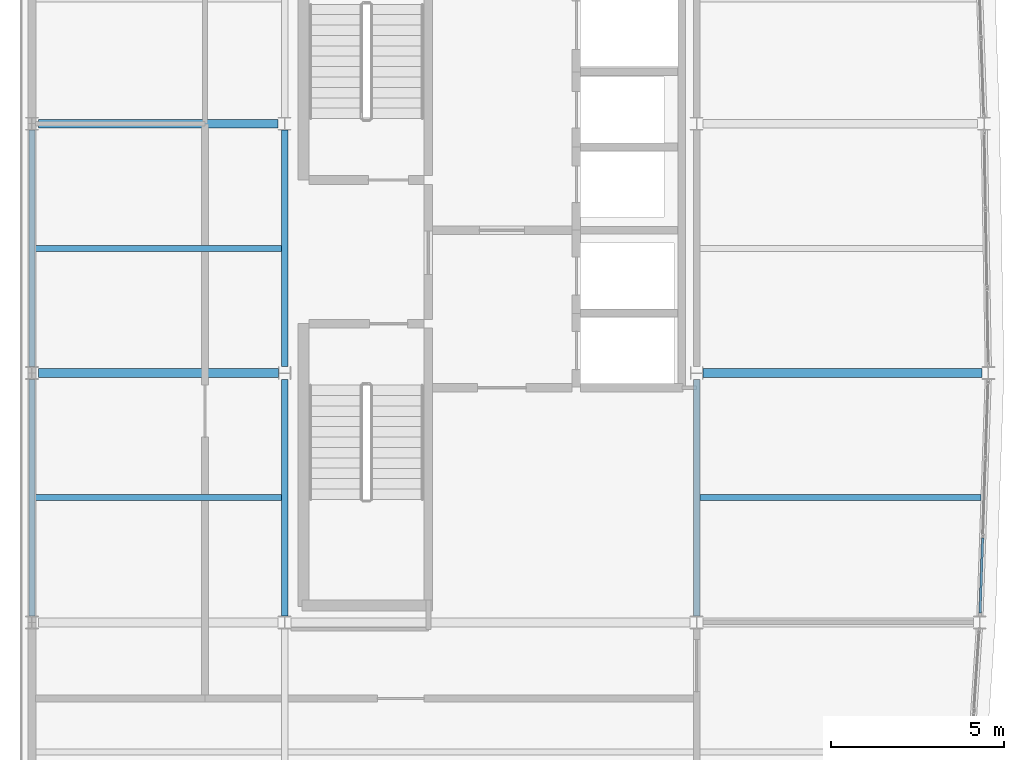
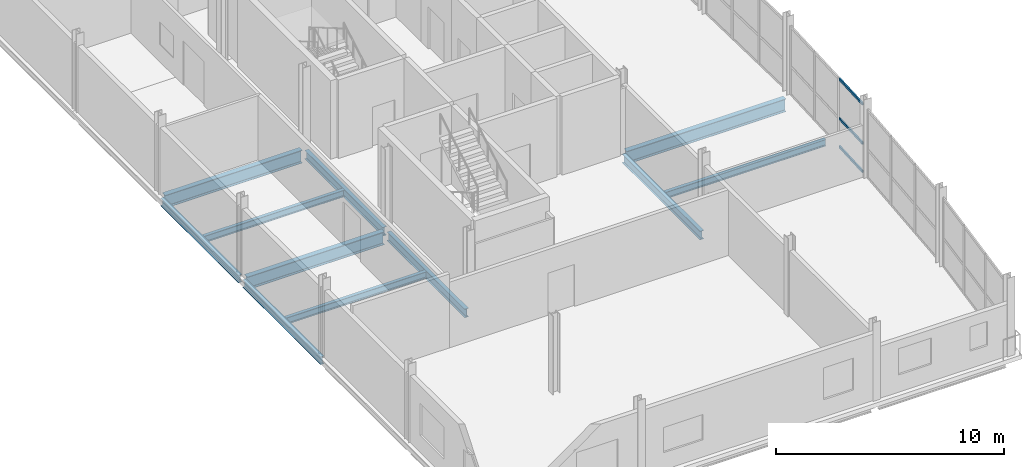
# One storey, part 4 of 20: 11 beams, 3 members, 1 element without a shape of its own.
"""IFC4 building model written with IfcOpenShell, lengths in metres."""

from ifc_helpers import new_model, si_unit, direction, frame, origin, origin_2d, place, context, subcontext, project, spatial, hollow_rectangle, i_section, extrude, material, layer, layer_set, material_profile, profile_set, type_object, element, aggregate, save


model = new_model("IFC4")

# Units and contexts
model_context = context("Model", 3, precision=1e-05, world=origin(), true_north=direction((0.0, 1.0)))
body_context = subcontext(model_context, "Body", "Model", "MODEL_VIEW")
ifc_project = project(units=[si_unit("LENGTHUNIT", "METRE"), si_unit("AREAUNIT", "SQUARE_METRE"), si_unit("VOLUMEUNIT", "CUBIC_METRE"), si_unit("PLANEANGLEUNIT", "RADIAN"), si_unit("MASSUNIT", "GRAM", prefix="KILO")], contexts=[model_context])

# Site, building, storey
site_placement = place(None, origin())
site = spatial("IfcSite", under=ifc_project, at=site_placement, CompositionType="ELEMENT")
building_placement = place(site_placement, origin())
building = spatial("IfcBuilding", under=site, at=building_placement, Name="Quillay Park Conservatory", CompositionType="ELEMENT")
storey_placement = place(building_placement, frame((0.0, 0.0, 30.89990234375)))
storey = spatial("IfcBuildingStorey", under=building, at=storey_placement, Name="L07", CompositionType="ELEMENT", Elevation=30.89990234375)

# Beams
ifc_material_1 = material(Name="Steel ASTM A992 Grade 50", Category="steel")
ifc_material_profile_1 = material_profile(ifc_material_1, i_section(OverallWidth=0.172119140625, OverallDepth=0.35791015625, WebThickness=0.0078125, FlangeThickness=0.01318359375, FilletRadius=0.010986328125, at=origin_2d()), Name="W360x57")
ifc_profile_set_1 = profile_set([ifc_material_profile_1], Name="Steel ASTM A992 Grade 50")
beam_type_1 = type_object("IfcBeamType", Name="COMPOSITE FLOOR JOIST W360 X57", PredefinedType="JOIST", material=ifc_profile_set_1)
beam_1_placement = place(storey_placement, frame((0.639892578125, 81.60009765625, -0.39892578125), z_axis=(1.0, 0.0, 0.0), x_axis=(0.0, 1.0, 0.0)))
element("IfcBeam", 1, at=beam_1_placement, inside=storey, type_object=beam_type_1, Name="L07 beam BM-J-0556", PredefinedType="JOIST", context=body_context, shape_type="SweptSolid", body=[
    extrude(i_section(OverallWidth=0.172119140625, OverallDepth=0.35791015625, WebThickness=0.0078125, FlangeThickness=0.01318359375, FilletRadius=0.010986328125, at=origin_2d()), origin(), (0.0, 0.0, 1.0), 7.114013671875),
])
beam_2_placement = place(storey_placement, frame((19.845947265625, 81.60009765625, -0.39892578125), z_axis=(1.0, 0.0, 0.0), x_axis=(0.0, 1.0, 0.0)))
element("IfcBeam", 2, at=beam_2_placement, inside=storey, type_object=beam_type_1, Name="L07 beam BM-J-0557", PredefinedType="JOIST", context=body_context, shape_type="SweptSolid", body=[
    extrude(i_section(OverallWidth=0.172119140625, OverallDepth=0.35791015625, WebThickness=0.0078125, FlangeThickness=0.01318359375, FilletRadius=0.010986328125, at=origin_2d()), origin(), (0.0, 0.0, 1.0), 8.114013671875),
])
beam_3_placement = place(storey_placement, frame((0.639892578125, 88.800048828125, -0.39892578125), z_axis=(1.0, 0.0, 0.0), x_axis=(0.0, 1.0, 0.0)))
element("IfcBeam", 3, at=beam_3_placement, inside=storey, type_object=beam_type_1, Name="L07 beam BM-J-0562", PredefinedType="JOIST", context=body_context, shape_type="SweptSolid", body=[
    extrude(i_section(OverallWidth=0.172119140625, OverallDepth=0.35791015625, WebThickness=0.0078125, FlangeThickness=0.01318359375, FilletRadius=0.010986328125, at=origin_2d()), origin(), (0.0, 0.0, 1.0), 7.114013671875),
])

# Curtain wall, members
ifc_material_2 = material(Name="Thermally Broken Anodised Aluminium 6063-T6", Category="aluminium")
ifc_layer = layer(ifc_material_2, 0.199951171875)
ifc_layer_set = layer_set([ifc_layer], Name="UNITISED CURTAIN WALL HERBARIUM (Thermally Broken Anodised Aluminium 6063-T6)")
curtain_wall_type = type_object("IfcCurtainWallType", Name="UNITISED CURTAIN WALL HERBARIUM", PredefinedType="USERDEFINED", material=ifc_layer_set)
curtain_wall_placement = place(storey_placement, origin())
curtain_wall = element("IfcCurtainWall", 4, at=curtain_wall_placement, inside=storey, type_object=curtain_wall_type, Name="L07 Unitised Curtain Wall 070", ObjectType="UNITISED CURTAIN WALL", PredefinedType="USERDEFINED")
ifc_material_3 = material(Name="Thermally Broken Anodised Aluminium 6063-T6", Category="aluminium")
ifc_material_profile_2 = material_profile(ifc_material_3, hollow_rectangle(XDim=0.070068359375, YDim=0.1298828125, WallThickness=0.003173828125, at=origin_2d()), Name="AL70x130x3.2")
ifc_profile_set_2 = profile_set([ifc_material_profile_2], Name="Thermally Broken Anodised Aluminium 6063-T6")
member_type = type_object("IfcMemberType", Name="CURTAIN WALL TRANSOM 70 X130", PredefinedType="USERDEFINED", material=ifc_profile_set_2)
member_1_placement = place(storey_placement, frame((28.009521484375, 80.431640625, 0.03515625), z_axis=(-0.034761587249, -0.999395633396, 0.0), x_axis=(0.999395633396, -0.034761587249, 0.0)))
member_1 = element("IfcMember", 5, at=member_1_placement, type_object=member_type, Name="CW-T2 transom 3.1", ObjectType="TRANSOM", PredefinedType="USERDEFINED", context=body_context, shape_type="SweptSolid", body=[
    extrude(hollow_rectangle(XDim=0.070068359375, YDim=0.1298828125, WallThickness=0.003173828125, at=origin_2d()), origin(), (0.0, 0.0, 1.0), 2.1630859375),
])
member_2_placement = place(storey_placement, frame((28.009521484375, 80.431640625, 1.548583984375), z_axis=(-0.034761587249, -0.999395633396, 0.0), x_axis=(0.999395633396, -0.034761587249, 0.0)))
member_2 = element("IfcMember", 6, at=member_2_placement, type_object=member_type, Name="CW-T2 transom 3.2", ObjectType="TRANSOM", PredefinedType="USERDEFINED", context=body_context, shape_type="SweptSolid", body=[
    extrude(hollow_rectangle(XDim=0.070068359375, YDim=0.1298828125, WallThickness=0.003173828125, at=origin_2d()), origin(), (0.0, 0.0, 1.0), 2.1630859375),
])
member_3_placement = place(storey_placement, frame((28.009521484375, 80.431640625, 3.652099609375), z_axis=(-0.034761587249, -0.999395633396, 0.0), x_axis=(0.999395633396, -0.034761587249, 0.0)))
member_3 = element("IfcMember", 7, at=member_3_placement, type_object=member_type, Name="CW-T2 transom 3.3", ObjectType="TRANSOM", PredefinedType="USERDEFINED", context=body_context, shape_type="SweptSolid", body=[
    extrude(hollow_rectangle(XDim=0.070068359375, YDim=0.1298828125, WallThickness=0.003173828125, at=origin_2d()), origin(), (0.0, 0.0, 1.0), 2.1630859375),
])
aggregate(curtain_wall, [member_1, member_2, member_3])

# Beams
ifc_material_4 = material(Name="Steel ASTM A992 Grade 50", Category="steel")
ifc_material_profile_3 = material_profile(ifc_material_4, i_section(OverallWidth=0.179931640625, OverallDepth=0.4130859375, WebThickness=0.009765625, FlangeThickness=0.01611328125, FilletRadius=0.011962890625, at=origin_2d()), Name="W410x74")
ifc_profile_set_3 = profile_set([ifc_material_profile_3], Name="Steel ASTM A992 Grade 50")
beam_type_2 = type_object("IfcBeamType", Name="PERIMETER SPANDREL BEAM W410 X74", PredefinedType="SPANDREL", material=ifc_profile_set_3)
beam_4_placement = place(storey_placement, frame((0.550048828125, 78.18603515625, -0.426513671875), z_axis=(0.0, 1.0, 0.0), x_axis=(-1.0, 0.0, 0.0)))
element("IfcBeam", 8, at=beam_4_placement, inside=storey, type_object=beam_type_2, Name="L07 beam BM-SPW-0552", PredefinedType="SPANDREL", context=body_context, shape_type="SweptSolid", body=[
    extrude(i_section(OverallWidth=0.179931640625, OverallDepth=0.4130859375, WebThickness=0.009765625, FlangeThickness=0.01611328125, FilletRadius=0.011962890625, at=origin_2d()), origin(), (0.0, 0.0, 1.0), 6.827880859375),
])
beam_5_placement = place(storey_placement, frame((0.550048828125, 85.385986328125, -0.426513671875), z_axis=(0.0, 1.0, 0.0), x_axis=(-1.0, 0.0, 0.0)))
element("IfcBeam", 9, at=beam_5_placement, inside=storey, type_object=beam_type_2, Name="L07 beam BM-SPW-0558", PredefinedType="SPANDREL", context=body_context, shape_type="SweptSolid", body=[
    extrude(i_section(OverallWidth=0.179931640625, OverallDepth=0.4130859375, WebThickness=0.009765625, FlangeThickness=0.01611328125, FilletRadius=0.011962890625, at=origin_2d()), origin(), (0.0, 0.0, 1.0), 6.828125),
])
ifc_material_5 = material(Name="Steel ASTM A992 Grade 50", Category="steel")
ifc_material_profile_4 = material_profile(ifc_material_5, i_section(OverallWidth=0.19189453125, OverallDepth=0.462890625, WebThickness=0.010498046875, FlangeThickness=0.017578125, FilletRadius=0.012939453125, at=origin_2d()), Name="W460x89")
ifc_profile_set_4 = profile_set([ifc_material_profile_4], Name="Steel ASTM A992 Grade 50")
beam_type_3 = type_object("IfcBeamType", Name="PRIMARY FLOOR GIRDER W460 X89", PredefinedType="BEAM", material=ifc_profile_set_4)
for number, where, z_axis, x_axis, name in (
    (10, (7.85009765625, 78.18603515625, -0.451416015625), (0.0, 1.0, 0.0), (-1.0, 0.0, 0.0), "L07 beam BM-GNS-0554"),
    (11, (19.75, 78.18603515625, -0.451416015625), (0.0, 1.0, 0.0), (-1.0, 0.0, 0.0), "L07 beam BM-GNS-0555"),
):
    element("IfcBeam", number, at=place(storey_placement, frame(where, z_axis=z_axis, x_axis=x_axis)), inside=storey, type_object=beam_type_3, Name=name, PredefinedType="BEAM", context=body_context, shape_type="SweptSolid", body=[
        extrude(i_section(OverallWidth=0.19189453125, OverallDepth=0.462890625, WebThickness=0.010498046875, FlangeThickness=0.017578125, FilletRadius=0.012939453125, at=origin_2d()), origin(), (0.0, 0.0, 1.0), 6.826904296875),
    ])
beam_6_placement = place(storey_placement, frame((7.85009765625, 85.386962890625, -0.451416015625), z_axis=(0.0, 1.0, 0.0), x_axis=(-1.0, 0.0, 0.0)))
element("IfcBeam", 12, at=beam_6_placement, inside=storey, type_object=beam_type_3, Name="L07 beam BM-GNS-0560", PredefinedType="BEAM", context=body_context, shape_type="SweptSolid", body=[
    extrude(i_section(OverallWidth=0.19189453125, OverallDepth=0.462890625, WebThickness=0.010498046875, FlangeThickness=0.017578125, FilletRadius=0.012939453125, at=origin_2d()), origin(), (0.0, 0.0, 1.0), 6.8271484375),
])
ifc_material_6 = material(Name="Steel ASTM A992 Grade 50", Category="steel")
ifc_material_profile_5 = material_profile(ifc_material_6, i_section(OverallWidth=0.256103515625, OverallDepth=0.693115234375, WebThickness=0.014404296875, FlangeThickness=0.023681640625, FilletRadius=0.01611328125, at=origin_2d()), Name="W690x170")
ifc_profile_set_5 = profile_set([ifc_material_profile_5], Name="Steel ASTM A992 Grade 50")
beam_type_4 = type_object("IfcBeamType", Name="PRIMARY FLOOR GIRDER W690 X170", PredefinedType="BEAM", material=ifc_profile_set_5)
beam_7_placement = place(storey_placement, frame((0.737060546875, 85.199951171875, -0.56640625), z_axis=(1.0, 0.0, 0.0), x_axis=(0.0, 1.0, 0.0)))
element("IfcBeam", 13, at=beam_7_placement, inside=storey, type_object=beam_type_4, Name="L07 beam BM-HB-0525", PredefinedType="BEAM", context=body_context, shape_type="SweptSolid", body=[
    extrude(i_section(OverallWidth=0.256103515625, OverallDepth=0.693115234375, WebThickness=0.014404296875, FlangeThickness=0.023681640625, FilletRadius=0.01611328125, at=origin_2d()), origin(), (0.0, 0.0, 1.0), 6.927001953125),
])
beam_8_placement = place(storey_placement, frame((19.93603515625, 85.199951171875, -0.56640625), z_axis=(1.0, 0.0, 0.0), x_axis=(0.0, 1.0, 0.0)))
element("IfcBeam", 14, at=beam_8_placement, inside=storey, type_object=beam_type_4, Name="L07 beam BM-HB-0526", PredefinedType="BEAM", context=body_context, shape_type="SweptSolid", body=[
    extrude(i_section(OverallWidth=0.256103515625, OverallDepth=0.693115234375, WebThickness=0.014404296875, FlangeThickness=0.023681640625, FilletRadius=0.01611328125, at=origin_2d()), origin(), (0.0, 0.0, 1.0), 8.052001953125),
])
beam_9_placement = place(storey_placement, frame((0.737060546875, 92.39990234375, -0.56640625), z_axis=(1.0, 0.0, 0.0), x_axis=(0.0, 1.0, 0.0)))
element("IfcBeam", 15, at=beam_9_placement, inside=storey, type_object=beam_type_4, Name="L07 beam BM-HB-0527", PredefinedType="BEAM", context=body_context, shape_type="SweptSolid", body=[
    extrude(i_section(OverallWidth=0.256103515625, OverallDepth=0.693115234375, WebThickness=0.014404296875, FlangeThickness=0.023681640625, FilletRadius=0.01611328125, at=origin_2d()), origin(), (0.0, 0.0, 1.0), 6.926025390625),
])

save(model, "model.ifc")
